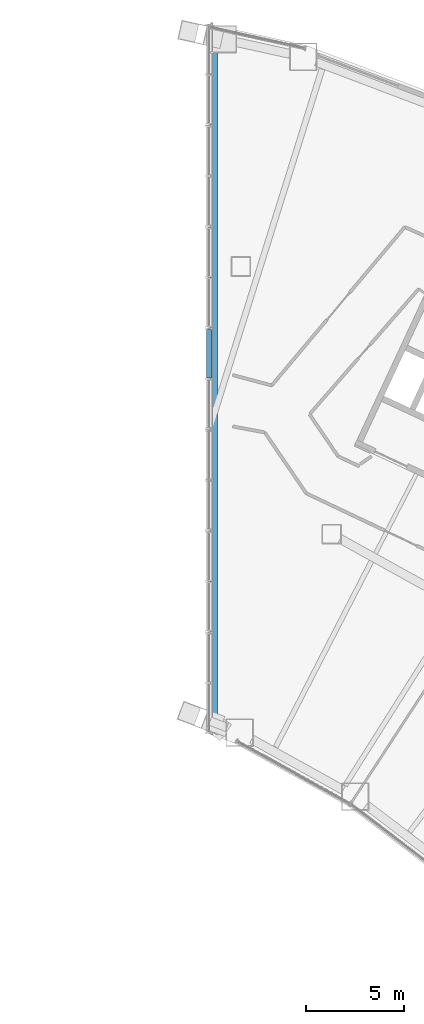
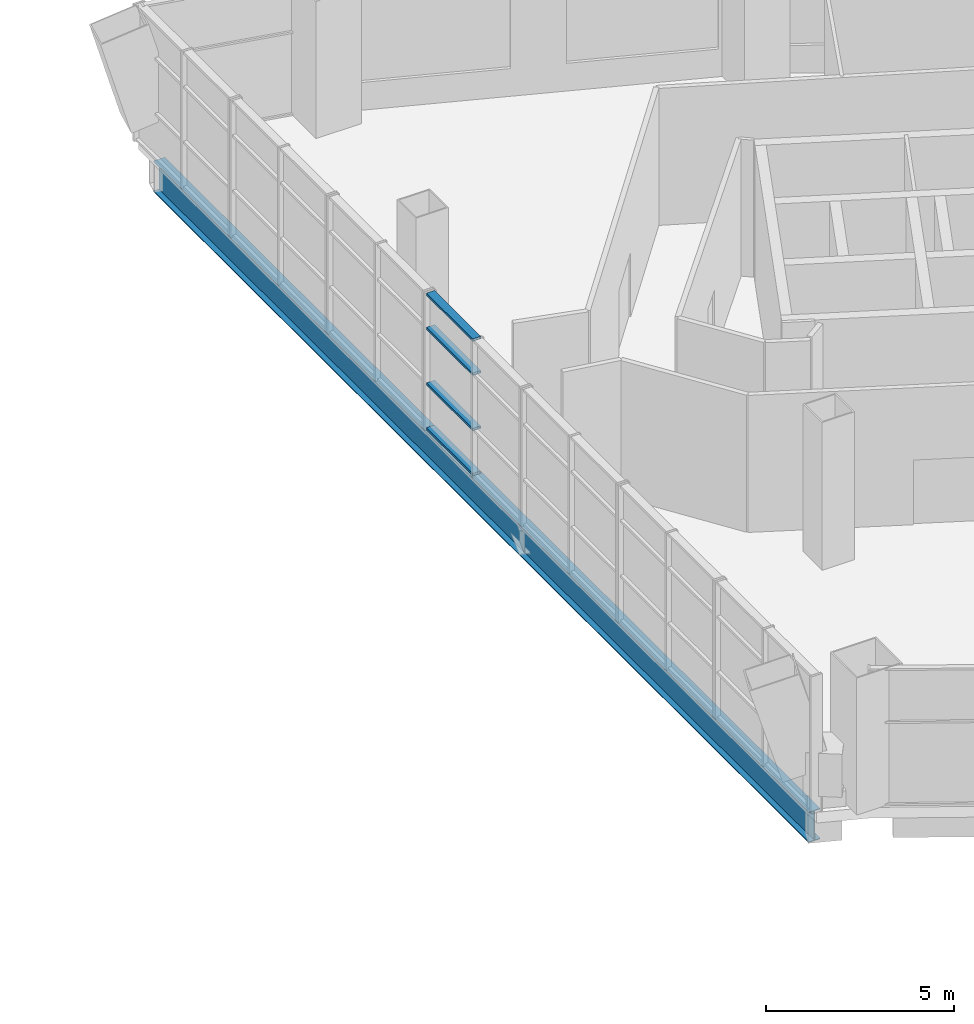
# One storey, part 14 of 26: 4 members, 1 beam, 1 element without a shape of its own.
"""IFC4 building model written with IfcOpenShell, lengths in metres."""

import ifcopenshell
import ifcopenshell.guid

model = None  # the IFC model being written
_history = None  # IfcOwnerHistory: only IFC2X3 demands one
_inside = {}  # id of a spatial element -> (the spatial element, [elements in it])
_under = {}  # id of a project, library or spatial element -> (it, [spatial elements below it])
_declared = {}  # id of a project -> (the project, [libraries it declares])
_typed = {}  # id of a type object -> (the type object, [elements of that type])
_made_of = {}  # id of a material, layer set ... -> (it, [elements and type objects made of it])


def new_model(schema):
    """Start an empty IFC model of exactly this schema.

    Asked for "IFC4X3", IfcOpenShell would pick the latest addendum, in which some entities
    have other attributes; the version numbers below select the first issue.
    IFC2X3 requires an IfcOwnerHistory on every rooted entity: one is made here for all.
    """
    global model, _history
    if schema == "IFC4X3":
        model = ifcopenshell.file(schema_version=(4, 3, 0, 0))
    else:
        model = ifcopenshell.file(schema=schema)
    _inside.clear()
    _under.clear()
    _declared.clear()
    _typed.clear()
    _made_of.clear()
    _history = None
    if model.schema == "IFC2X3":
        org = make("IfcOrganization", Name="unknown")
        user = make(
            "IfcPersonAndOrganization",
            ThePerson=make("IfcPerson", FamilyName="unknown"),
            TheOrganization=org,
        )
        app = make(
            "IfcApplication",
            ApplicationDeveloper=org,
            Version="unknown",
            ApplicationFullName="unknown",
            ApplicationIdentifier="unknown",
        )
        _history = make(
            "IfcOwnerHistory",
            OwningUser=user,
            OwningApplication=app,
            ChangeAction="ADDED",
            CreationDate=0,
        )
    return model


def make(cls, **values):
    """One entity of the class cls with the attributes given. An attribute that is None is left unset."""
    return model.create_entity(
        cls, **{name: value for name, value in values.items() if value is not None}
    )


def rooted(cls, **values):
    """An entity with a GlobalId (a new one), such as an element, a storey or a relation."""
    return make(cls, GlobalId=ifcopenshell.guid.new(), OwnerHistory=_history, **values)


def si_unit(unit_type, name, prefix=None):
    """IfcSIUnit, for example si_unit("LENGTHUNIT", "METRE", prefix="MILLI")."""
    return make("IfcSIUnit", UnitType=unit_type, Prefix=prefix, Name=name)


def assignment(units):
    """IfcUnitAssignment: the units of a project."""
    return None if units is None else make("IfcUnitAssignment", Units=units)


def point(xyz):
    """IfcCartesianPoint."""
    return None if xyz is None else make("IfcCartesianPoint", Coordinates=xyz)


def direction(xyz):
    """IfcDirection."""
    return None if xyz is None else make("IfcDirection", DirectionRatios=xyz)


def frame(location, z_axis=None, x_axis=None):
    """IfcAxis2Placement3D, a coordinate frame: its origin and axes. An axis left out is left unset."""
    return make(
        "IfcAxis2Placement3D",
        Location=point(location),
        Axis=direction(z_axis),
        RefDirection=direction(x_axis),
    )


def frame_2d(location, x_axis=None):
    """IfcAxis2Placement2D, a coordinate frame in the plane: its origin and x axis."""
    return make(
        "IfcAxis2Placement2D", Location=point(location), RefDirection=direction(x_axis)
    )


def origin():
    """The frame at (0, 0, 0) with its axes left unset."""
    return frame((0.0, 0.0, 0.0))


def origin_2d():
    """The frame at (0, 0) in the plane with its x axis left unset."""
    return frame_2d((0.0, 0.0))


def place(relative_to, where):
    """IfcLocalPlacement: puts the frame where relative to a parent placement (None: the world)."""
    return make(
        "IfcLocalPlacement", PlacementRelTo=relative_to, RelativePlacement=where
    )


def context(
    kind, dimensions, precision=None, world=None, true_north=None, identifier=None
):
    """IfcGeometricRepresentationContext, for example the 3D "Model" context."""
    return make(
        "IfcGeometricRepresentationContext",
        ContextIdentifier=identifier,
        ContextType=kind,
        CoordinateSpaceDimension=dimensions,
        Precision=precision,
        WorldCoordinateSystem=world,
        TrueNorth=true_north,
    )


def subcontext(parent, identifier, kind, view, scale=None):
    """IfcGeometricRepresentationSubContext, for example "Body" below "Model"."""
    return make(
        "IfcGeometricRepresentationSubContext",
        ContextIdentifier=identifier,
        ContextType=kind,
        ParentContext=parent,
        TargetScale=scale,
        TargetView=view,
    )


def project(units=None, contexts=None):
    """IfcProject with its units and contexts."""
    return rooted(
        "IfcProject",
        Name="project",
        RepresentationContexts=contexts,
        UnitsInContext=assignment(units),
    )


def spatial(cls, under=None, at=None, **own):
    """A site, building, storey or space (cls), placed at a placement, below another one or the project."""
    s = rooted(cls, ObjectPlacement=at, **own)
    if under is not None:
        _under.setdefault(under.id(), (under, []))[1].append(s)
    return s


def profile(cls, at=None, kind="AREA", **sizes):
    """A parametric profile (cls). Its sizes go by their IFC names, for example OverallWidth=200.0."""
    return make(cls, ProfileType=kind, Position=at, **sizes)


def hollow_rectangle(**sizes):
    """IfcRectangleHollowProfileDef."""
    return profile("IfcRectangleHollowProfileDef", **sizes)


def i_section(**sizes):
    """IfcIShapeProfileDef."""
    return profile("IfcIShapeProfileDef", **sizes)


def extrude(swept, where, along, depth):
    """IfcExtrudedAreaSolid: the profile swept, set in the frame where, extruded along a direction by depth."""
    return make(
        "IfcExtrudedAreaSolid",
        SweptArea=swept,
        Position=where,
        ExtrudedDirection=direction(along),
        Depth=depth,
    )


def shape(context_of_items, identifier, shape_type, items):
    """IfcShapeRepresentation: the items that make up one representation, for example the "Body"."""
    return make(
        "IfcShapeRepresentation",
        ContextOfItems=context_of_items,
        RepresentationIdentifier=identifier,
        RepresentationType=shape_type,
        Items=items,
    )


def material(Name=None, Category=None):
    """IfcMaterial."""
    return make("IfcMaterial", Name=Name, Category=Category)


def layer(
    of_material, thickness, ventilated=None, Name=None, Category=None, Priority=None
):
    """IfcMaterialLayer: one layer of a wall or slab, of a material (None: an air gap)."""
    return make(
        "IfcMaterialLayer",
        Material=of_material,
        LayerThickness=thickness,
        IsVentilated=ventilated,
        Name=Name,
        Category=Category,
        Priority=Priority,
    )


def layer_set(layers, Name=None):
    """IfcMaterialLayerSet."""
    return make("IfcMaterialLayerSet", MaterialLayers=layers, LayerSetName=Name)


def material_profile(
    of_material, cross_section, Name=None, Category=None, Priority=None
):
    """IfcMaterialProfile: a cross section and its material."""
    return make(
        "IfcMaterialProfile",
        Name=Name,
        Material=of_material,
        Profile=cross_section,
        Priority=Priority,
        Category=Category,
    )


def profile_set(profiles, Name=None, composite=None):
    """IfcMaterialProfileSet."""
    return make(
        "IfcMaterialProfileSet",
        Name=Name,
        MaterialProfiles=profiles,
        CompositeProfile=composite,
    )


def made_of(thing, what):
    """Note that an element or type object is made of a material, layer set ...; save() writes the relation."""
    if what is not None:
        _made_of.setdefault(what.id(), (what, []))[1].append(thing)
    return thing


def type_object(cls, material=None, **own):
    """A type object (cls), such as IfcWallType, which elements share."""
    return made_of(rooted(cls, **own), material)


def element(
    cls,
    number,
    at=None,
    inside=None,
    cuts=None,
    type_object=None,
    material=None,
    context=None,
    identifier="Body",
    shape_type=None,
    held_by="IfcProductDefinitionShape",
    body=None,
    shapes=None,
    **own,
):
    """One element of the class cls, such as IfcWall. Its Tag is "e" and its number.

    at: its placement. inside: the storey or other place that contains it. cuts: it is an
    opening in that element (IfcRelVoidsElement). A single representation is given by context,
    identifier, shape_type and body (its items); several are given by shapes. held_by: the class
    of the entity that holds the representations. save() writes the other relations.
    """
    e = rooted(cls, Tag="e%d" % number, ObjectPlacement=at, **own)
    if body is not None:
        shapes = [shape(context, identifier, shape_type, body)]
    if shapes is not None:
        e.Representation = make(held_by, Representations=shapes)
    if inside is not None:
        _inside.setdefault(inside.id(), (inside, []))[1].append(e)
    if cuts is not None:
        rooted(
            "IfcRelVoidsElement", RelatingBuildingElement=cuts, RelatedOpeningElement=e
        )
    if type_object is not None:
        _typed.setdefault(type_object.id(), (type_object, []))[1].append(e)
    return made_of(e, material)


def aggregate(whole, parts):
    """IfcRelAggregates: a whole, such as a stair, and the parts it consists of."""
    return rooted("IfcRelAggregates", RelatingObject=whole, RelatedObjects=parts)


def save(model, path):
    """Write the relations noted so far, then the file.

    IfcRelAggregates (storeys below a building ...), IfcRelContainedInSpatialStructure (elements
    in a storey), IfcRelDefinesByType, IfcRelAssociatesMaterial and IfcRelDeclares: one each for
    every whole, place, type object, material and project.
    """
    for whole, parts in _under.values():
        aggregate(whole, parts)
    for where, things in _inside.values():
        rooted(
            "IfcRelContainedInSpatialStructure",
            RelatedElements=things,
            RelatingStructure=where,
        )
    for kind, things in _typed.values():
        rooted("IfcRelDefinesByType", RelatedObjects=things, RelatingType=kind)
    for what, things in _made_of.values():
        rooted("IfcRelAssociatesMaterial", RelatedObjects=things, RelatingMaterial=what)
    for by, libraries in _declared.values():
        rooted("IfcRelDeclares", RelatingContext=by, RelatedDefinitions=libraries)
    model.write(path)


model = new_model("IFC4")

# Units and contexts
model_context = context("Model", 3, precision=1e-05, world=origin(), true_north=direction((0.0, 1.0)))
body_context = subcontext(model_context, "Body", "Model", "MODEL_VIEW")
ifc_project = project(units=[si_unit("LENGTHUNIT", "METRE"), si_unit("AREAUNIT", "SQUARE_METRE"), si_unit("VOLUMEUNIT", "CUBIC_METRE"), si_unit("PLANEANGLEUNIT", "RADIAN"), si_unit("MASSUNIT", "GRAM", prefix="KILO")], contexts=[model_context])

# Site, building, storey
site_placement = place(None, origin())
site = spatial("IfcSite", under=ifc_project, at=site_placement, CompositionType="ELEMENT")
building_placement = place(site_placement, origin())
building = spatial("IfcBuilding", under=site, at=building_placement, Name="Tuul Gate Civic Tower", CompositionType="ELEMENT")
storey_placement = place(building_placement, frame((0.0, 0.0, 7.5)))
storey = spatial("IfcBuildingStorey", under=building, at=storey_placement, Name="Level 01", CompositionType="ELEMENT", Elevation=7.5)

# Curtain wall, members
ifc_material_1 = material(Name="Stainless steel", Category="steel")
ifc_layer = layer(ifc_material_1, 0.199951171875)
ifc_layer_set = layer_set([ifc_layer], Name="Stainless steel")
curtain_wall_type = type_object("IfcCurtainWallType", Name="Curtain wall CW2", PredefinedType="NOTDEFINED", material=ifc_layer_set)
curtain_wall_placement = place(storey_placement, origin())
curtain_wall = element("IfcCurtainWall", 1, at=curtain_wall_placement, inside=storey, type_object=curtain_wall_type, Name="Curtain wall CW2", PredefinedType="NOTDEFINED")
ifc_material_2 = material(Name="Stainless steel", Category="steel")
ifc_material_profile_1 = material_profile(ifc_material_2, hollow_rectangle(XDim=0.25, YDim=0.080078125, WallThickness=0.006103515625, at=origin_2d()), Name="CW2 transom")
ifc_profile_set_1 = profile_set([ifc_material_profile_1], Name="Stainless steel")
member_type = type_object("IfcMemberType", Name="CW2 transom", PredefinedType="USERDEFINED", material=ifc_profile_set_1)
member_1_placement = place(storey_placement, frame((18.0, 0.25439453125, 0.0400390625), z_axis=(0.0, 1.0, 0.0), x_axis=(-1.0, 0.0, 0.0)))
member_1 = element("IfcMember", 2, at=member_1_placement, type_object=member_type, Name="Transom", ObjectType="TRANSOM", PredefinedType="USERDEFINED", context=body_context, shape_type="SweptSolid", body=[
    extrude(hollow_rectangle(XDim=0.25, YDim=0.080078125, WallThickness=0.006103515625, at=origin_2d()), origin(), (0.0, 0.0, 1.0), 2.458740234375),
])
member_2_placement = place(storey_placement, frame((18.0, 0.25439453125, 1.5), z_axis=(0.0, 1.0, 0.0), x_axis=(-1.0, 0.0, 0.0)))
member_2 = element("IfcMember", 3, at=member_2_placement, type_object=member_type, Name="Transom", ObjectType="TRANSOM", PredefinedType="USERDEFINED", context=body_context, shape_type="SweptSolid", body=[
    extrude(hollow_rectangle(XDim=0.25, YDim=0.080078125, WallThickness=0.006103515625, at=origin_2d()), origin(), (0.0, 0.0, 1.0), 2.458740234375),
])
member_3_placement = place(storey_placement, frame((18.0, 0.25439453125, 3.300048828125), z_axis=(0.0, 1.0, 0.0), x_axis=(-1.0, 0.0, 0.0)))
member_3 = element("IfcMember", 4, at=member_3_placement, type_object=member_type, Name="Transom", ObjectType="TRANSOM", PredefinedType="USERDEFINED", context=body_context, shape_type="SweptSolid", body=[
    extrude(hollow_rectangle(XDim=0.25, YDim=0.080078125, WallThickness=0.006103515625, at=origin_2d()), origin(), (0.0, 0.0, 1.0), 2.458740234375),
])
member_4_placement = place(storey_placement, frame((18.0, 0.25439453125, 4.409912109375), z_axis=(0.0, 1.0, 0.0), x_axis=(-1.0, 0.0, 0.0)))
member_4 = element("IfcMember", 5, at=member_4_placement, type_object=member_type, Name="Transom", ObjectType="TRANSOM", PredefinedType="USERDEFINED", context=body_context, shape_type="SweptSolid", body=[
    extrude(hollow_rectangle(XDim=0.25, YDim=0.080078125, WallThickness=0.006103515625, at=origin_2d()), origin(), (0.0, 0.0, 1.0), 2.458740234375),
])
aggregate(curtain_wall, [member_1, member_2, member_3, member_4])

# Beam
ifc_material_3 = material(Name="Steel S355", Category="steel")
ifc_material_profile_2 = material_profile(ifc_material_3, i_section(OverallWidth=0.35009765625, OverallDepth=1.0, WebThickness=0.01611328125, FlangeThickness=0.030029296875, at=origin_2d()), Name="PG1000x350x16x30")
ifc_profile_set_2 = profile_set([ifc_material_profile_2], Name="Steel S355")
beam_type = type_object("IfcBeamType", Name="STR-RING BEAM-PG1000x350x16x30", PredefinedType="BEAM", material=ifc_profile_set_2)
beam_placement = place(storey_placement, frame((18.25, -17.28857421875, -0.85009765625), z_axis=(0.0, 1.0, 0.0), x_axis=(-1.0, 0.0, 0.0)))
element("IfcBeam", 6, at=beam_placement, inside=storey, type_object=beam_type, Name="Tunnel edge beam", PredefinedType="BEAM", context=body_context, shape_type="SweptSolid", body=[
    extrude(i_section(OverallWidth=0.35009765625, OverallDepth=1.0, WebThickness=0.01611328125, FlangeThickness=0.030029296875, at=origin_2d()), origin(), (0.0, 0.0, 1.0), 34.884521484375),
])

save(model, "model.ifc")
